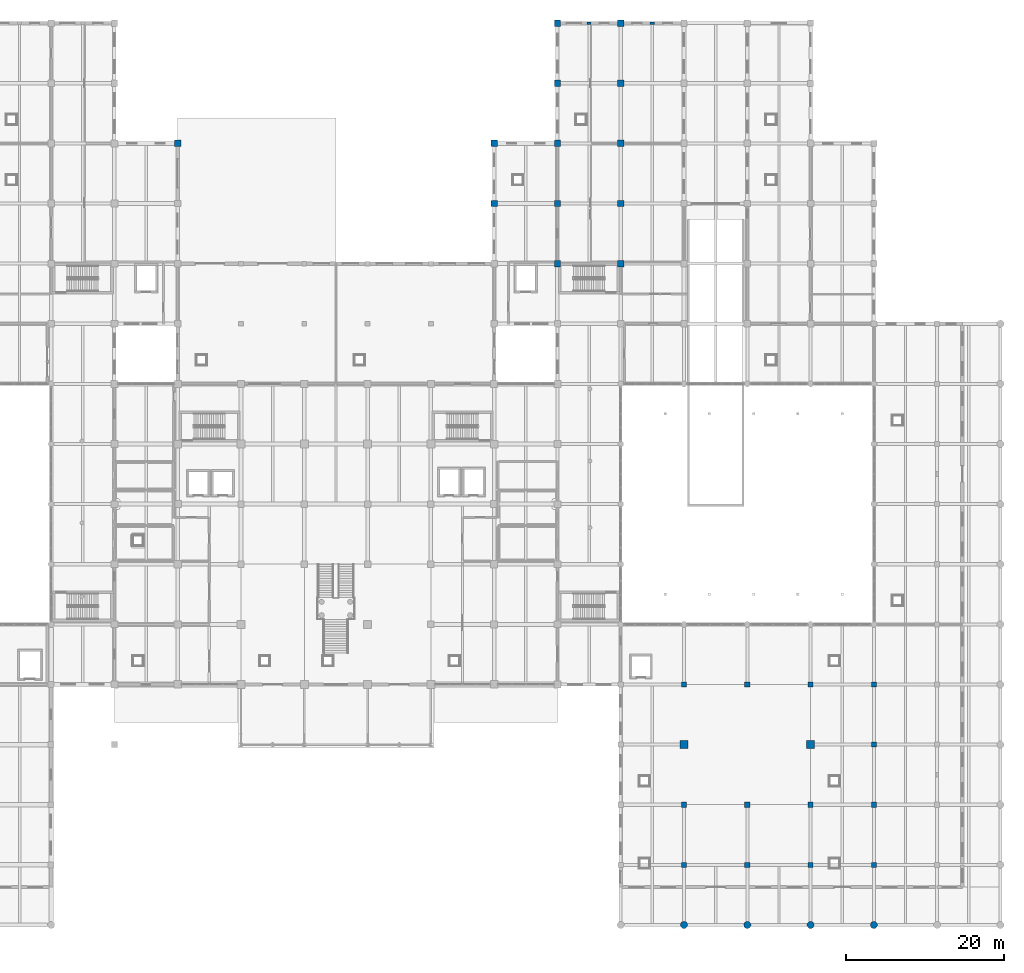
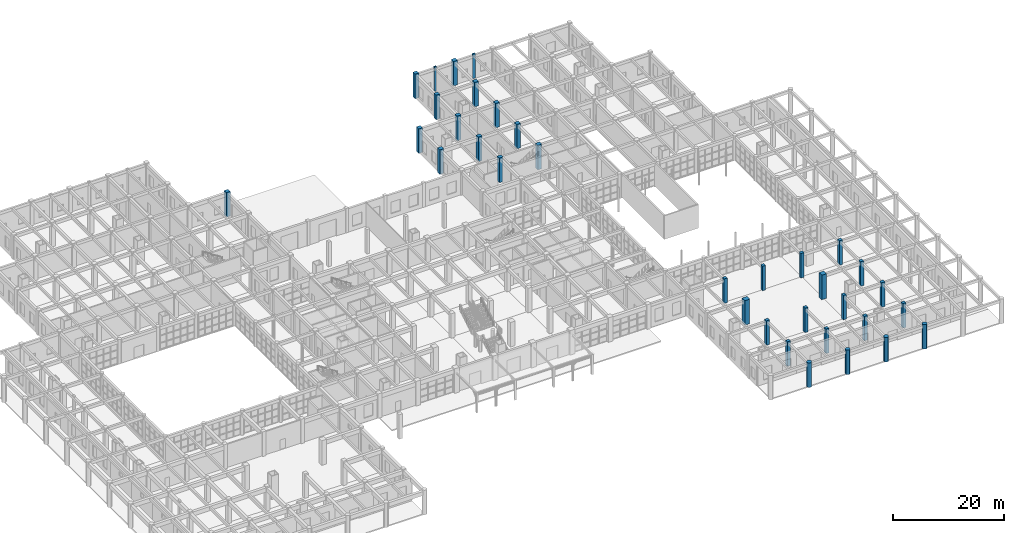
# One storey, part 8 of 95: 34 columns.
"""IFC4 building model written with IfcOpenShell, lengths in metres."""

from ifc_helpers import new_model, si_unit, direction, frame, origin, origin_2d, place, context, subcontext, project, spatial, rectangle, circle, extrude, material, material_profile, profile_set, type_object, element, save


model = new_model("IFC4")

# Units and contexts
model_context = context("Model", 3, precision=1e-05, world=origin(), true_north=direction((0.0, 1.0)))
body_context = subcontext(model_context, "Body", "Model", "MODEL_VIEW")
ifc_project = project(units=[si_unit("LENGTHUNIT", "METRE"), si_unit("AREAUNIT", "SQUARE_METRE"), si_unit("VOLUMEUNIT", "CUBIC_METRE"), si_unit("PLANEANGLEUNIT", "RADIAN"), si_unit("MASSUNIT", "GRAM", prefix="KILO")], contexts=[model_context])

# Site, building, storey
site_placement = place(None, origin())
site = spatial("IfcSite", under=ifc_project, at=site_placement, CompositionType="ELEMENT")
building_placement = place(site_placement, origin())
building = spatial("IfcBuilding", under=site, at=building_placement, Name="Zantavel Square City Hall", CompositionType="ELEMENT")
storey_placement = place(building_placement, origin())
storey = spatial("IfcBuildingStorey", under=building, at=storey_placement, Name="L01", CompositionType="ELEMENT", Elevation=0.0)

# Columns
ifc_material = material(Name="Concrete C40/50", Category="concrete")
ifc_material_profile_1 = material_profile(ifc_material, rectangle(XDim=1.0, YDim=1.0, at=origin_2d()), Name="RC 1000x1000")
ifc_profile_set_1 = profile_set([ifc_material_profile_1], Name="Concrete C40/50")
column_type_1 = type_object("IfcColumnType", Name="Column RC 1000x1000 C40/50", PredefinedType="COLUMN", material=ifc_profile_set_1)
for number, where, z_axis, x_axis, name in (
    (1, (128.0, 22.800048828125, 0.0), (0.0, 0.0, 1.0), (1.0, 0.0, 0.0), "L01 Column COL-L01-1280-0228"),
    (2, (144.0, 22.800048828125, 0.0), (0.0, 0.0, 1.0), (1.0, 0.0, 0.0), "L01 Column COL-L01-1440-0228"),
):
    element("IfcColumn", number, at=place(storey_placement, frame(where, z_axis=z_axis, x_axis=x_axis)), inside=storey, type_object=column_type_1, Name=name, PredefinedType="COLUMN", context=body_context, shape_type="SweptSolid", body=[
        extrude(rectangle(XDim=1.0, YDim=1.0, at=origin_2d()), origin(), (0.0, 0.0, 1.0), 5.39990234375),
    ])
ifc_material_profile_2 = material_profile(ifc_material, rectangle(XDim=0.64990234375, YDim=0.64990234375, at=origin_2d()), Name="RC 650x650")
ifc_profile_set_2 = profile_set([ifc_material_profile_2], Name="Concrete C40/50")
column_type_2 = type_object("IfcColumnType", Name="Column RC 650x650 C40/50", PredefinedType="COLUMN", material=ifc_profile_set_2)
for number, where, z_axis, x_axis, name in (
    (3, (128.0, 7.60009765625, 0.0), (0.0, 0.0, 1.0), (1.0, 0.0, 0.0), "L01 Column COL-L01-1280-0076"),
    (4, (128.0, 15.199951171875, 0.0), (0.0, 0.0, 1.0), (1.0, 0.0, 0.0), "L01 Column COL-L01-1280-0152"),
    (5, (128.0, 30.39990234375, 0.0), (0.0, 0.0, 1.0), (1.0, 0.0, 0.0), "L01 Column COL-L01-1280-0304"),
    (6, (136.0, 7.60009765625, 0.0), (0.0, 0.0, 1.0), (1.0, 0.0, 0.0), "L01 Column COL-L01-1360-0076"),
    (7, (136.0, 15.199951171875, 0.0), (0.0, 0.0, 1.0), (1.0, 0.0, 0.0), "L01 Column COL-L01-1360-0152"),
    (8, (136.0, 30.39990234375, 0.0), (0.0, 0.0, 1.0), (1.0, 0.0, 0.0), "L01 Column COL-L01-1360-0304"),
    (9, (144.0, 7.60009765625, 0.0), (0.0, 0.0, 1.0), (1.0, 0.0, 0.0), "L01 Column COL-L01-1440-0076"),
    (10, (144.0, 15.199951171875, 0.0), (0.0, 0.0, 1.0), (1.0, 0.0, 0.0), "L01 Column COL-L01-1440-0152"),
    (11, (144.0, 30.39990234375, 0.0), (0.0, 0.0, 1.0), (1.0, 0.0, 0.0), "L01 Column COL-L01-1440-0304"),
    (12, (152.0, 7.60009765625, 0.0), (0.0, 0.0, 1.0), (1.0, 0.0, 0.0), "L01 Column COL-L01-1520-0076"),
    (13, (152.0, 15.199951171875, 0.0), (0.0, 0.0, 1.0), (1.0, 0.0, 0.0), "L01 Column COL-L01-1520-0152"),
    (14, (152.0, 22.800048828125, 0.0), (0.0, 0.0, 1.0), (1.0, 0.0, 0.0), "L01 Column COL-L01-1520-0228"),
    (15, (152.0, 30.39990234375, 0.0), (0.0, 0.0, 1.0), (1.0, 0.0, 0.0), "L01 Column COL-L01-1520-0304"),
):
    element("IfcColumn", number, at=place(storey_placement, frame(where, z_axis=z_axis, x_axis=x_axis)), inside=storey, type_object=column_type_2, Name=name, PredefinedType="COLUMN", context=body_context, shape_type="SweptSolid", body=[
        extrude(rectangle(XDim=0.64990234375, YDim=0.64990234375, at=origin_2d()), origin(), (0.0, 0.0, 1.0), 5.39990234375),
    ])
ifc_material_profile_3 = material_profile(ifc_material, rectangle(XDim=0.800048828125, YDim=0.800048828125, at=origin_2d()), Name="RC 800x800")
ifc_profile_set_3 = profile_set([ifc_material_profile_3], Name="Concrete C40/50")
column_type_3 = type_object("IfcColumnType", Name="Column RC 800x800 C40/50", PredefinedType="COLUMN", material=ifc_profile_set_3)
for number, where, z_axis, x_axis, name in (
    (16, (64.0, 98.800048828125, 0.0), (0.0, 0.0, 1.0), (1.0, 0.0, 0.0), "L01 Column COL-L01-0640-0988"),
    (17, (104.0, 91.199951171875, 0.0), (0.0, 0.0, 1.0), (1.0, 0.0, 0.0), "L01 Column COL-L01-1040-0912"),
    (18, (104.0, 98.800048828125, 0.0), (0.0, 0.0, 1.0), (1.0, 0.0, 0.0), "L01 Column COL-L01-1040-0988"),
    (19, (112.0, 83.60009765625, 0.0), (0.0, 0.0, 1.0), (1.0, 0.0, 0.0), "L01 Column COL-L01-1120-0836"),
    (20, (112.0, 91.199951171875, 0.0), (0.0, 0.0, 1.0), (1.0, 0.0, 0.0), "L01 Column COL-L01-1120-0912"),
    (21, (112.0, 98.800048828125, 0.0), (0.0, 0.0, 1.0), (1.0, 0.0, 0.0), "L01 Column COL-L01-1120-0988"),
    (22, (112.0, 106.39990234375, 0.0), (0.0, 0.0, 1.0), (1.0, 0.0, 0.0), "L01 Column COL-L01-1120-1064"),
    (23, (112.0, 114.0, 0.0), (0.0, 0.0, 1.0), (1.0, 0.0, 0.0), "L01 Column COL-L01-1120-1140"),
    (24, (120.0, 83.60009765625, 0.0), (0.0, 0.0, 1.0), (1.0, 0.0, 0.0), "L01 Column COL-L01-1200-0836"),
    (25, (120.0, 91.199951171875, 0.0), (0.0, 0.0, 1.0), (1.0, 0.0, 0.0), "L01 Column COL-L01-1200-0912"),
    (26, (120.0, 98.800048828125, 0.0), (0.0, 0.0, 1.0), (1.0, 0.0, 0.0), "L01 Column COL-L01-1200-0988"),
    (27, (120.0, 106.39990234375, 0.0), (0.0, 0.0, 1.0), (1.0, 0.0, 0.0), "L01 Column COL-L01-1200-1064"),
    (28, (120.0, 114.0, 0.0), (0.0, 0.0, 1.0), (1.0, 0.0, 0.0), "L01 Column COL-L01-1200-1140"),
):
    element("IfcColumn", number, at=place(storey_placement, frame(where, z_axis=z_axis, x_axis=x_axis)), inside=storey, type_object=column_type_3, Name=name, PredefinedType="COLUMN", context=body_context, shape_type="SweptSolid", body=[
        extrude(rectangle(XDim=0.800048828125, YDim=0.800048828125, at=origin_2d()), origin(), (0.0, 0.0, 1.0), 5.39990234375),
    ])
ifc_material_profile_4 = material_profile(ifc_material, rectangle(XDim=0.5, YDim=0.300048828125, at=origin_2d()), Name="RC 500x300")
ifc_profile_set_4 = profile_set([ifc_material_profile_4], Name="Concrete C40/50")
column_type_4 = type_object("IfcColumnType", Name="Courtyard Stone Pilaster 500x300 C40/50", PredefinedType="PILASTER", material=ifc_profile_set_4)
column_1_placement = place(storey_placement, frame((116.0, 114.0, 0.0), z_axis=(0.0, 0.0, 1.0), x_axis=(1.0, 0.0, 0.0)))
element("IfcColumn", 29, at=column_1_placement, inside=storey, type_object=column_type_4, Name="L01 Facade Pilaster PIL-L01-1160-1140", PredefinedType="PILASTER", context=body_context, shape_type="SweptSolid", body=[
    extrude(rectangle(XDim=0.5, YDim=0.300048828125, at=origin_2d()), origin(), (0.0, 0.0, 1.0), 5.39990234375),
])
ifc_material_profile_5 = material_profile(ifc_material, rectangle(XDim=0.550048828125, YDim=0.320068359375, at=origin_2d()), Name="RC 550x320")
ifc_profile_set_5 = profile_set([ifc_material_profile_5], Name="Concrete C40/50")
column_type_5 = type_object("IfcColumnType", Name="North Wing Stone Pilaster 550x320 C40/50", PredefinedType="PILASTER", material=ifc_profile_set_5)
column_2_placement = place(storey_placement, frame((124.0, 114.0, 0.0), z_axis=(0.0, 0.0, 1.0), x_axis=(1.0, 0.0, 0.0)))
element("IfcColumn", 30, at=column_2_placement, inside=storey, type_object=column_type_5, Name="L01 Facade Pilaster PIL-L01-1240-1140", PredefinedType="PILASTER", context=body_context, shape_type="SweptSolid", body=[
    extrude(rectangle(XDim=0.550048828125, YDim=0.320068359375, at=origin_2d()), origin(), (0.0, 0.0, 1.0), 5.39990234375),
])
ifc_material_profile_6 = material_profile(ifc_material, circle(Radius=0.449951171875, at=origin_2d()), Name="ROUND D900")
ifc_profile_set_6 = profile_set([ifc_material_profile_6], Name="Concrete C40/50")
column_type_6 = type_object("IfcColumnType", Name="Portales Tuscan Column D900 C40/50", PredefinedType="COLUMN", material=ifc_profile_set_6)
for number, where, z_axis, x_axis, name in (
    (31, (128.0, 0.0, 0.0), (0.0, 0.0, 1.0), (1.0, 0.0, 0.0), "L01 Column COL-L01-1280-0000"),
    (32, (136.0, 0.0, 0.0), (0.0, 0.0, 1.0), (1.0, 0.0, 0.0), "L01 Column COL-L01-1360-0000"),
    (33, (144.0, 0.0, 0.0), (0.0, 0.0, 1.0), (1.0, 0.0, 0.0), "L01 Column COL-L01-1440-0000"),
    (34, (152.0, 0.0, 0.0), (0.0, 0.0, 1.0), (1.0, 0.0, 0.0), "L01 Column COL-L01-1520-0000"),
):
    element("IfcColumn", number, at=place(storey_placement, frame(where, z_axis=z_axis, x_axis=x_axis)), inside=storey, type_object=column_type_6, Name=name, PredefinedType="COLUMN", context=body_context, shape_type="SweptSolid", body=[
        extrude(circle(Radius=0.449951171875, at=origin_2d()), origin(), (0.0, 0.0, 1.0), 5.39990234375),
    ])

save(model, "model.ifc")
